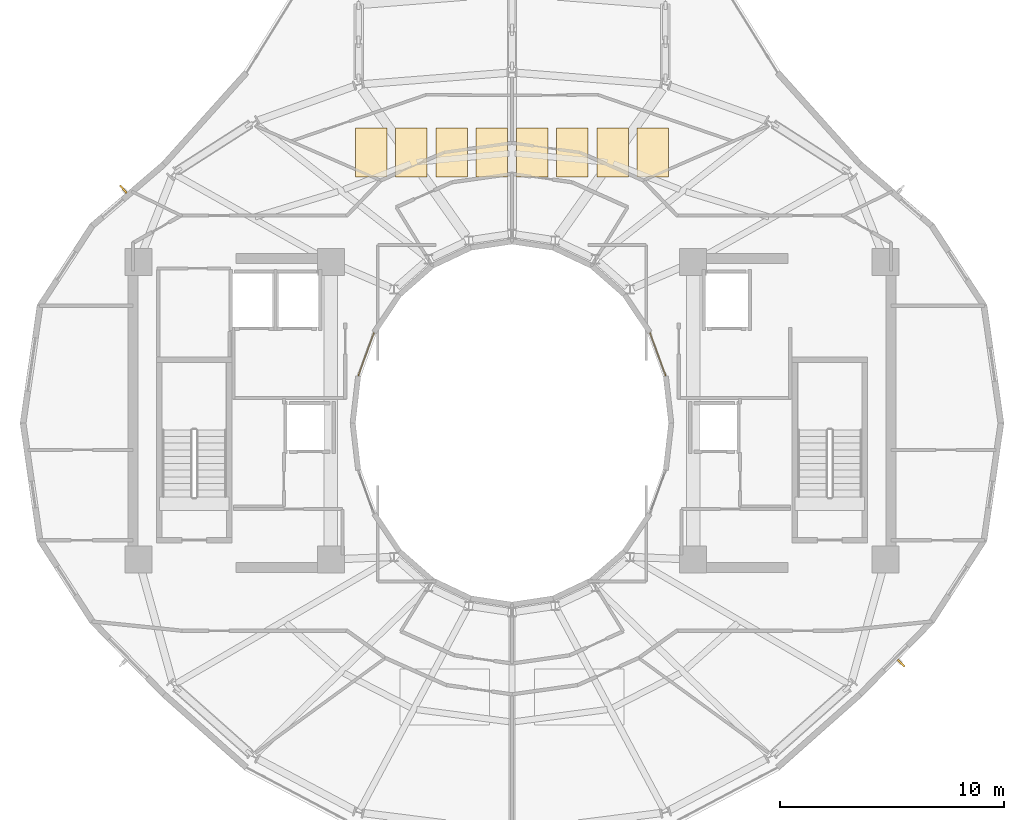
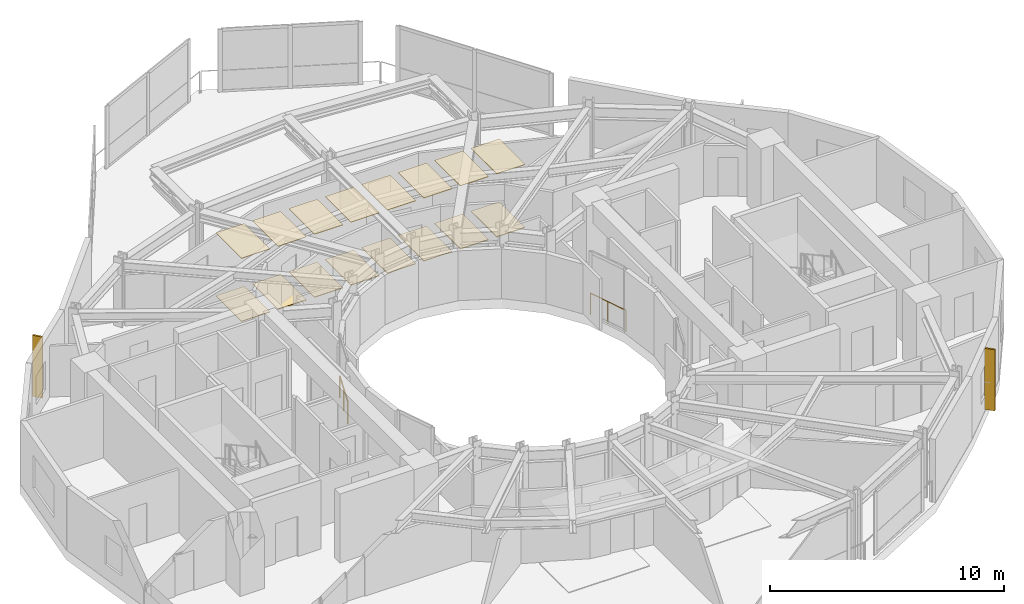
# One storey, part 23 of 25: 16 coverings, 2 railings, 2 shading devices.
"""IFC4 building model written with IfcOpenShell, lengths in metres."""

from ifc_helpers import new_model, si_unit, direction, frame, origin, origin_2d, place, context, subcontext, project, spatial, polyline, rectangle, circle, outline, extrude, material, layer, layer_set, type_object, element, save


model = new_model("IFC4")

# Units and contexts
model_context = context("Model", 3, precision=1e-05, world=origin(), true_north=direction((0.0, 1.0)))
body_context = subcontext(model_context, "Body", "Model", "MODEL_VIEW")
ifc_project = project(units=[si_unit("LENGTHUNIT", "METRE"), si_unit("AREAUNIT", "SQUARE_METRE"), si_unit("VOLUMEUNIT", "CUBIC_METRE"), si_unit("PLANEANGLEUNIT", "RADIAN"), si_unit("MASSUNIT", "GRAM", prefix="KILO")], contexts=[model_context])

# Site, building, storey
site_placement = place(None, origin())
site = spatial("IfcSite", under=ifc_project, at=site_placement, CompositionType="ELEMENT")
building_placement = place(site_placement, origin())
building = spatial("IfcBuilding", under=site, at=building_placement, Name="Solvane Sanctuary Tower", CompositionType="ELEMENT")
storey_placement = place(building_placement, frame((0.0, 0.0, 238.800048828125)))
storey = spatial("IfcBuildingStorey", under=building, at=storey_placement, Name="L73", CompositionType="ELEMENT", Elevation=238.800048828125)

# Coverings
ifc_material_1 = material(Name="Acoustic Gypsum Partition Board")
ifc_layer_1 = layer(ifc_material_1, 0.02490234375, Name="Acoustic Gypsum Partition Board")
ifc_layer_set_1 = layer_set([ifc_layer_1], Name="Acoustic Gypsum Partition Board")
covering_type_1 = type_object("IfcCoveringType", Name="Covering CLG-ACOUST", PredefinedType="CEILING", material=ifc_layer_set_1)
covering_1_placement = place(storey_placement, frame((0.0, 0.0, 3.2900390625)))
element("IfcCovering", 1, at=covering_1_placement, inside=storey, type_object=covering_type_1, Name="L73 Sky Dining Acoustic Coffer 1", PredefinedType="CEILING", context=body_context, shape_type="SweptSolid", body=[
    extrude(outline(polyline([(25.0, 34.0), (26.39990234375, 34.0), (26.39990234375, 36.199951171875), (25.0, 36.199951171875), (25.0, 34.0)])), origin(), (0.0, 0.0, 1.0), 0.030029296875),
])
covering_2_placement = place(storey_placement, frame((0.0, 0.0, 3.2900390625)))
element("IfcCovering", 2, at=covering_2_placement, inside=storey, type_object=covering_type_1, Name="L73 Sky Dining Acoustic Coffer 2", PredefinedType="CEILING", context=body_context, shape_type="SweptSolid", body=[
    extrude(outline(polyline([(26.800048828125, 34.0), (28.199951171875, 34.0), (28.199951171875, 36.199951171875), (26.800048828125, 36.199951171875), (26.800048828125, 34.0)])), origin(), (0.0, 0.0, 1.0), 0.030029296875),
])
covering_3_placement = place(storey_placement, frame((0.0, 0.0, 3.2900390625)))
element("IfcCovering", 3, at=covering_3_placement, inside=storey, type_object=covering_type_1, Name="L73 Sky Dining Acoustic Coffer 3", PredefinedType="CEILING", context=body_context, shape_type="SweptSolid", body=[
    extrude(outline(polyline([(28.60009765625, 34.0), (30.0, 34.0), (30.0, 36.199951171875), (28.60009765625, 36.199951171875), (28.60009765625, 34.0)])), origin(), (0.0, 0.0, 1.0), 0.030029296875),
])
covering_4_placement = place(storey_placement, frame((0.0, 0.0, 3.2900390625)))
element("IfcCovering", 4, at=covering_4_placement, inside=storey, type_object=covering_type_1, Name="L73 Sky Dining Acoustic Coffer 4", PredefinedType="CEILING", context=body_context, shape_type="SweptSolid", body=[
    extrude(outline(polyline([(30.39990234375, 34.0), (31.800048828125, 34.0), (31.800048828125, 36.199951171875), (30.39990234375, 36.199951171875), (30.39990234375, 34.0)])), origin(), (0.0, 0.0, 1.0), 0.030029296875),
])
covering_5_placement = place(storey_placement, frame((0.0, 0.0, 3.2900390625)))
element("IfcCovering", 5, at=covering_5_placement, inside=storey, type_object=covering_type_1, Name="L73 Sky Dining Acoustic Coffer 5", PredefinedType="CEILING", context=body_context, shape_type="SweptSolid", body=[
    extrude(outline(polyline([(32.199951171875, 34.0), (33.60009765625, 34.0), (33.60009765625, 36.199951171875), (32.199951171875, 36.199951171875), (32.199951171875, 34.0)])), origin(), (0.0, 0.0, 1.0), 0.030029296875),
])
covering_6_placement = place(storey_placement, frame((0.0, 0.0, 3.2900390625)))
element("IfcCovering", 6, at=covering_6_placement, inside=storey, type_object=covering_type_1, Name="L73 Sky Dining Acoustic Coffer 6", PredefinedType="CEILING", context=body_context, shape_type="SweptSolid", body=[
    extrude(outline(polyline([(34.0, 34.0), (35.39990234375, 34.0), (35.39990234375, 36.199951171875), (34.0, 36.199951171875), (34.0, 34.0)])), origin(), (0.0, 0.0, 1.0), 0.030029296875),
])
covering_7_placement = place(storey_placement, frame((0.0, 0.0, 3.2900390625)))
element("IfcCovering", 7, at=covering_7_placement, inside=storey, type_object=covering_type_1, Name="L73 Sky Dining Acoustic Coffer 7", PredefinedType="CEILING", context=body_context, shape_type="SweptSolid", body=[
    extrude(outline(polyline([(35.800048828125, 34.0), (37.199951171875, 34.0), (37.199951171875, 36.199951171875), (35.800048828125, 36.199951171875), (35.800048828125, 34.0)])), origin(), (0.0, 0.0, 1.0), 0.030029296875),
])
covering_8_placement = place(storey_placement, frame((0.0, 0.0, 3.2900390625)))
element("IfcCovering", 8, at=covering_8_placement, inside=storey, type_object=covering_type_1, Name="L73 Sky Dining Acoustic Coffer 8", PredefinedType="CEILING", context=body_context, shape_type="SweptSolid", body=[
    extrude(outline(polyline([(37.60009765625, 34.0), (39.0, 34.0), (39.0, 36.199951171875), (37.60009765625, 36.199951171875), (37.60009765625, 34.0)])), origin(), (0.0, 0.0, 1.0), 0.030029296875),
])
ifc_material_2 = material(Name="Ceramic Tile Finish")
ifc_layer_2 = layer(ifc_material_2, 0.030029296875, Name="Ceramic Tile Finish")
ifc_layer_set_2 = layer_set([ifc_layer_2], Name="Ceramic Tile Finish")
covering_type_2 = type_object("IfcCoveringType", Name="Covering FLR-TERRAZZO", PredefinedType="FLOORING", material=ifc_layer_set_2)
covering_9_placement = place(storey_placement, origin())
element("IfcCovering", 9, at=covering_9_placement, inside=storey, type_object=covering_type_2, Name="L73 Sky Dining Terrazzo Inlay 1", PredefinedType="FLOORING", context=body_context, shape_type="SweptSolid", body=[
    extrude(outline(polyline([(25.0, 34.0), (26.39990234375, 34.0), (26.39990234375, 36.199951171875), (25.0, 36.199951171875), (25.0, 34.0)])), origin(), (0.0, 0.0, 1.0), 0.034912109375),
])
covering_10_placement = place(storey_placement, origin())
element("IfcCovering", 10, at=covering_10_placement, inside=storey, type_object=covering_type_2, Name="L73 Sky Dining Terrazzo Inlay 2", PredefinedType="FLOORING", context=body_context, shape_type="SweptSolid", body=[
    extrude(outline(polyline([(26.800048828125, 34.0), (28.199951171875, 34.0), (28.199951171875, 36.199951171875), (26.800048828125, 36.199951171875), (26.800048828125, 34.0)])), origin(), (0.0, 0.0, 1.0), 0.034912109375),
])
covering_11_placement = place(storey_placement, origin())
element("IfcCovering", 11, at=covering_11_placement, inside=storey, type_object=covering_type_2, Name="L73 Sky Dining Terrazzo Inlay 3", PredefinedType="FLOORING", context=body_context, shape_type="SweptSolid", body=[
    extrude(outline(polyline([(28.60009765625, 34.0), (30.0, 34.0), (30.0, 36.199951171875), (28.60009765625, 36.199951171875), (28.60009765625, 34.0)])), origin(), (0.0, 0.0, 1.0), 0.034912109375),
])
covering_12_placement = place(storey_placement, origin())
element("IfcCovering", 12, at=covering_12_placement, inside=storey, type_object=covering_type_2, Name="L73 Sky Dining Terrazzo Inlay 4", PredefinedType="FLOORING", context=body_context, shape_type="SweptSolid", body=[
    extrude(outline(polyline([(30.39990234375, 34.0), (31.800048828125, 34.0), (31.800048828125, 36.199951171875), (30.39990234375, 36.199951171875), (30.39990234375, 34.0)])), origin(), (0.0, 0.0, 1.0), 0.034912109375),
])
covering_13_placement = place(storey_placement, origin())
element("IfcCovering", 13, at=covering_13_placement, inside=storey, type_object=covering_type_2, Name="L73 Sky Dining Terrazzo Inlay 5", PredefinedType="FLOORING", context=body_context, shape_type="SweptSolid", body=[
    extrude(outline(polyline([(32.199951171875, 34.0), (33.60009765625, 34.0), (33.60009765625, 36.199951171875), (32.199951171875, 36.199951171875), (32.199951171875, 34.0)])), origin(), (0.0, 0.0, 1.0), 0.034912109375),
])
covering_14_placement = place(storey_placement, origin())
element("IfcCovering", 14, at=covering_14_placement, inside=storey, type_object=covering_type_2, Name="L73 Sky Dining Terrazzo Inlay 6", PredefinedType="FLOORING", context=body_context, shape_type="SweptSolid", body=[
    extrude(outline(polyline([(34.0, 34.0), (35.39990234375, 34.0), (35.39990234375, 36.199951171875), (34.0, 36.199951171875), (34.0, 34.0)])), origin(), (0.0, 0.0, 1.0), 0.034912109375),
])
covering_15_placement = place(storey_placement, origin())
element("IfcCovering", 15, at=covering_15_placement, inside=storey, type_object=covering_type_2, Name="L73 Sky Dining Terrazzo Inlay 7", PredefinedType="FLOORING", context=body_context, shape_type="SweptSolid", body=[
    extrude(outline(polyline([(35.800048828125, 34.0), (37.199951171875, 34.0), (37.199951171875, 36.199951171875), (35.800048828125, 36.199951171875), (35.800048828125, 34.0)])), origin(), (0.0, 0.0, 1.0), 0.034912109375),
])
covering_16_placement = place(storey_placement, origin())
element("IfcCovering", 16, at=covering_16_placement, inside=storey, type_object=covering_type_2, Name="L73 Sky Dining Terrazzo Inlay 8", PredefinedType="FLOORING", context=body_context, shape_type="SweptSolid", body=[
    extrude(outline(polyline([(37.60009765625, 34.0), (39.0, 34.0), (39.0, 36.199951171875), (37.60009765625, 36.199951171875), (37.60009765625, 34.0)])), origin(), (0.0, 0.0, 1.0), 0.034912109375),
])

# Railings
ifc_material_3 = material(Name="Architectural Stainless Steel 316", Category="steel")
railing_type = type_object("IfcRailingType", Name="Railing GR-WELL-1150", PredefinedType="GUARDRAIL", material=ifc_material_3)
railing_1_placement = place(storey_placement, frame((38.8603515625, 25.148681640625, 0.0)))
element("IfcRailing", 17, at=railing_1_placement, inside=storey, type_object=railing_type, Name="L73 Light-Well Glazing Sill Guard 01", PredefinedType="GUARDRAIL", context=body_context, shape_type="SweptSolid", body=[
    extrude(circle(Radius=0.02392578125, at=origin_2d()), frame((0.0, 0.0, 1.1259765625), z_axis=(-0.341446556351, 0.939901191166, 0.0), x_axis=(-0.939901191166, -0.341446556351, 0.0)), (0.0, 0.0, 1.0), 1.9833984375),
    extrude(circle(Radius=0.02099609375, at=origin_2d()), origin(), (0.0, 0.0, 1.0), 1.101806640625),
    extrude(circle(Radius=0.02099609375, at=origin_2d()), frame((-0.338623046875, 0.93212890625, 0.0)), (0.0, 0.0, 1.0), 1.101806640625),
    extrude(circle(Radius=0.02099609375, at=origin_2d()), frame((-0.67724609375, 1.8642578125, 0.0)), (0.0, 0.0, 1.0), 1.101806640625),
])
railing_2_placement = place(storey_placement, frame((25.81689453125, 27.012939453125, 0.0)))
element("IfcRailing", 18, at=railing_2_placement, inside=storey, type_object=railing_type, Name="L73 Light-Well Glazing Sill Guard 10", PredefinedType="GUARDRAIL", context=body_context, shape_type="SweptSolid", body=[
    extrude(circle(Radius=0.02392578125, at=origin_2d()), frame((0.0, 0.0, 1.1259765625), z_axis=(-0.341446556351, -0.939901191166, 0.0), x_axis=(0.939901191166, -0.341446556351, 0.0)), (0.0, 0.0, 1.0), 1.9833984375),
    extrude(circle(Radius=0.02099609375, at=origin_2d()), origin(), (0.0, 0.0, 1.0), 1.101806640625),
    extrude(circle(Radius=0.02099609375, at=origin_2d()), frame((-0.338623046875, -0.93212890625, 0.0)), (0.0, 0.0, 1.0), 1.101806640625),
    extrude(circle(Radius=0.02099609375, at=origin_2d()), frame((-0.67724609375, -1.8642578125, 0.0)), (0.0, 0.0, 1.0), 1.101806640625),
])

# Shading devices
ifc_material_4 = material(Name="Anodised Aluminium 6063-T6", Category="aluminium")
ifc_layer_3 = layer(ifc_material_4, 0.080078125, Name="Anodised Aluminium 6063-T6")
ifc_layer_set_3 = layer_set([ifc_layer_3], Name="Anodised Aluminium 6063-T6")
shading_device_type = type_object("IfcShadingDeviceType", Name="Shading SHD-FIN", PredefinedType="USERDEFINED", material=ifc_layer_set_3)
for number, where, z_axis, x_axis, name in (
    (19, (14.61962890625, 33.458984375, 0.050048828125), (0.0, 0.0, 1.0), (-0.759573352363, -0.650421649686, 0.0), "L73 Aerodynamic Vertical Fin 09"),
    (20, (49.40185546875, 12.263916015625, 0.050048828125), (0.0, 0.0, 1.0), (0.700625381445, 0.713529309051, 0.0), "L73 Aerodynamic Vertical Fin 21"),
):
    element("IfcShadingDevice", number, at=place(storey_placement, frame(where, z_axis=z_axis, x_axis=x_axis)), inside=storey, type_object=shading_device_type, Name=name, ObjectType="FIN", PredefinedType="USERDEFINED", context=body_context, shape_type="SweptSolid", body=[
        extrude(rectangle(XDim=0.080078125, YDim=0.449951171875, at=origin_2d()), origin(), (0.0, 0.0, 1.0), 3.18994140625),
    ])

save(model, "model.ifc")
